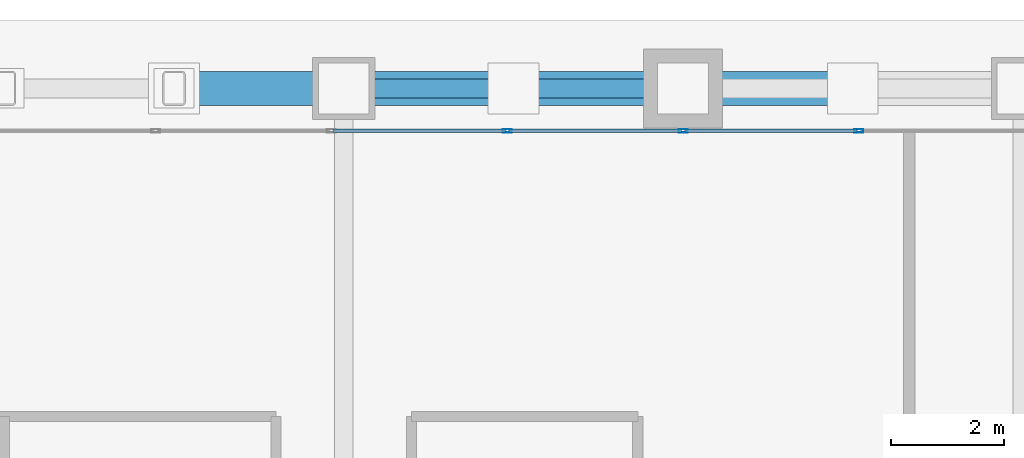
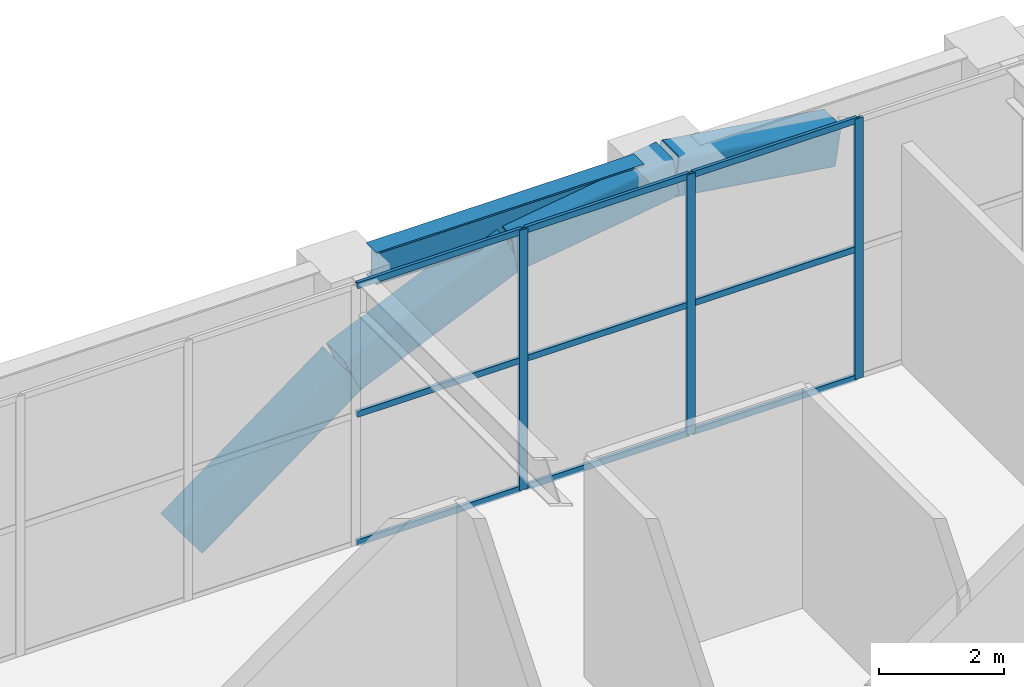
# One storey, part 17 of 32: 16 members, 1 beam, 1 element without a shape of its own.
"""IFC4 building model written with IfcOpenShell, lengths in metres."""

from ifc_helpers import new_model, si_unit, direction, frame, origin, origin_2d, place, context, subcontext, project, spatial, hollow_rectangle, i_section, extrude, material, layer, layer_set, material_profile, profile_set, type_object, element, aggregate, save


model = new_model("IFC4")

# Units and contexts
model_context = context("Model", 3, precision=1e-05, world=origin(), true_north=direction((0.0, 1.0)))
body_context = subcontext(model_context, "Body", "Model", "MODEL_VIEW")
ifc_project = project(units=[si_unit("LENGTHUNIT", "METRE"), si_unit("AREAUNIT", "SQUARE_METRE"), si_unit("VOLUMEUNIT", "CUBIC_METRE"), si_unit("PLANEANGLEUNIT", "RADIAN"), si_unit("MASSUNIT", "GRAM", prefix="KILO")], contexts=[model_context])

# Site, building, storey
site_placement = place(None, origin())
site = spatial("IfcSite", under=ifc_project, at=site_placement, CompositionType="ELEMENT")
building_placement = place(site_placement, origin())
building = spatial("IfcBuilding", under=site, at=building_placement, Name="Sarneth Arch Tower", CompositionType="ELEMENT")
storey_placement = place(building_placement, frame((0.0, 0.0, 11.39990234375)))
storey = spatial("IfcBuildingStorey", under=building, at=storey_placement, Name="L02", CompositionType="ELEMENT", Elevation=11.39990234375)

# Beam
ifc_material_1 = material(Name="Steel S355", Category="steel")
ifc_material_profile_1 = material_profile(ifc_material_1, i_section(OverallWidth=0.3291015625, OverallDepth=0.635009765625, WebThickness=0.017822265625, FlangeThickness=0.031005859375, FilletRadius=0.01904296875, at=origin_2d()), Name="W610x241")
ifc_profile_set_1 = profile_set([ifc_material_profile_1], Name="Steel S355")
beam_type = type_object("IfcBeamType", Name="BM-POD-610", PredefinedType="BEAM", material=ifc_profile_set_1)
beam_placement = place(storey_placement, frame((42.52001953125, 74.800048828125, 4.78271484375), z_axis=(1.0, 0.0, 0.0), x_axis=(0.0, 1.0, 0.0)))
element("IfcBeam", 1, at=beam_placement, inside=storey, type_object=beam_type, Name="L02 Podium PN girder 4", PredefinedType="BEAM", context=body_context, shape_type="SweptSolid", body=[
    extrude(i_section(OverallWidth=0.3291015625, OverallDepth=0.635009765625, WebThickness=0.017822265625, FlangeThickness=0.031005859375, FilletRadius=0.01904296875, at=origin_2d()), origin(), (0.0, 0.0, 1.0), 4.9599609375),
])

# Curtain wall, members
ifc_material_2 = material(Name="Anodised aluminium Type AA25 and solar-control low-e laminated IGU", Category="aluminium")
ifc_layer = layer(ifc_material_2, 0.199951171875)
ifc_layer_set = layer_set([ifc_layer], Name="Anodised aluminium Type AA25 and solar-control low-e laminated IGU")
curtain_wall_type = type_object("IfcCurtainWallType", Name="CW-ARCH-GLAZE", PredefinedType="NOTDEFINED", material=ifc_layer_set)
curtain_wall_placement = place(storey_placement, origin())
curtain_wall = element("IfcCurtainWall", 2, at=curtain_wall_placement, inside=storey, type_object=curtain_wall_type, Name="L02 North parabolic arch portal curtain wall", PredefinedType="NOTDEFINED")
ifc_material_3 = material(Name="Anodised Aluminium 6063-T6", Category="aluminium")
ifc_material_profile_2 = material_profile(ifc_material_3, hollow_rectangle(XDim=0.06005859375, YDim=0.159912109375, WallThickness=0.00390625, at=origin_2d()), Name="AL-MULL-160x60x4")
ifc_profile_set_2 = profile_set([ifc_material_profile_2], Name="Anodised Aluminium 6063-T6")
member_type_1 = type_object("IfcMemberType", Name="CW-MULLION", PredefinedType="MULLION", material=ifc_profile_set_2)
member_1_placement = place(storey_placement, frame((51.1083984375, 74.050048828125, 0.0), z_axis=(0.0, 0.0, 1.0), x_axis=(0.0, -1.0, 0.0)))
member_1 = element("IfcMember", 3, at=member_1_placement, type_object=member_type_1, Name="CW-SYS-2 mullion 6", PredefinedType="MULLION", context=body_context, shape_type="SweptSolid", body=[
    extrude(hollow_rectangle(XDim=0.06005859375, YDim=0.159912109375, WallThickness=0.00390625, at=origin_2d()), origin(), (0.0, 0.0, 1.0), 5.10009765625),
])
member_2_placement = place(storey_placement, frame((48.0, 74.050048828125, 0.0), z_axis=(0.0, 0.0, 1.0), x_axis=(0.0, -1.0, 0.0)))
member_2 = element("IfcMember", 4, at=member_2_placement, type_object=member_type_1, Name="CW-SYS-2 mullion 7", PredefinedType="MULLION", context=body_context, shape_type="SweptSolid", body=[
    extrude(hollow_rectangle(XDim=0.06005859375, YDim=0.159912109375, WallThickness=0.00390625, at=origin_2d()), origin(), (0.0, 0.0, 1.0), 5.10009765625),
])
member_3_placement = place(storey_placement, frame((44.8916015625, 74.050048828125, 0.0), z_axis=(0.0, 0.0, 1.0), x_axis=(0.0, -1.0, 0.0)))
member_3 = element("IfcMember", 5, at=member_3_placement, type_object=member_type_1, Name="CW-SYS-2 mullion 8", PredefinedType="MULLION", context=body_context, shape_type="SweptSolid", body=[
    extrude(hollow_rectangle(XDim=0.06005859375, YDim=0.159912109375, WallThickness=0.00390625, at=origin_2d()), origin(), (0.0, 0.0, 1.0), 5.10009765625),
])
ifc_material_4 = material(Name="Anodised Aluminium 6063-T6", Category="aluminium")
ifc_material_profile_3 = material_profile(ifc_material_4, hollow_rectangle(XDim=0.06005859375, YDim=0.1201171875, WallThickness=0.00390625, at=origin_2d()), Name="AL-TRAN-120x60x4")
ifc_profile_set_3 = profile_set([ifc_material_profile_3], Name="Anodised Aluminium 6063-T6")
member_type_2 = type_object("IfcMemberType", Name="CW-TRANSOM", PredefinedType="USERDEFINED", material=ifc_profile_set_3)
member_4_placement = place(storey_placement, frame((51.078369140625, 74.050048828125, 0.030029296875), z_axis=(-1.0, 0.0, 0.0), x_axis=(0.0, -1.0, 0.0)))
member_4 = element("IfcMember", 6, at=member_4_placement, type_object=member_type_2, Name="CW-SYS-2 transom 6.1", ObjectType="TRANSOM", PredefinedType="USERDEFINED", context=body_context, shape_type="SweptSolid", body=[
    extrude(hollow_rectangle(XDim=0.06005859375, YDim=0.1201171875, WallThickness=0.00390625, at=origin_2d()), origin(), (0.0, 0.0, 1.0), 3.04833984375),
])
member_5_placement = place(storey_placement, frame((51.078369140625, 74.050048828125, 2.550048828125), z_axis=(-1.0, 0.0, 0.0), x_axis=(0.0, -1.0, 0.0)))
member_5 = element("IfcMember", 7, at=member_5_placement, type_object=member_type_2, Name="CW-SYS-2 transom 6.2", ObjectType="TRANSOM", PredefinedType="USERDEFINED", context=body_context, shape_type="SweptSolid", body=[
    extrude(hollow_rectangle(XDim=0.06005859375, YDim=0.1201171875, WallThickness=0.00390625, at=origin_2d()), origin(), (0.0, 0.0, 1.0), 3.04833984375),
])
member_6_placement = place(storey_placement, frame((51.078369140625, 74.050048828125, 5.070068359375), z_axis=(-1.0, 0.0, 0.0), x_axis=(0.0, -1.0, 0.0)))
member_6 = element("IfcMember", 8, at=member_6_placement, type_object=member_type_2, Name="CW-SYS-2 transom 6.3", ObjectType="TRANSOM", PredefinedType="USERDEFINED", context=body_context, shape_type="SweptSolid", body=[
    extrude(hollow_rectangle(XDim=0.06005859375, YDim=0.1201171875, WallThickness=0.00390625, at=origin_2d()), origin(), (0.0, 0.0, 1.0), 3.04833984375),
])
member_7_placement = place(storey_placement, frame((47.969970703125, 74.050048828125, 0.030029296875), z_axis=(-1.0, 0.0, 0.0), x_axis=(0.0, -1.0, 0.0)))
member_7 = element("IfcMember", 9, at=member_7_placement, type_object=member_type_2, Name="CW-SYS-2 transom 7.1", ObjectType="TRANSOM", PredefinedType="USERDEFINED", context=body_context, shape_type="SweptSolid", body=[
    extrude(hollow_rectangle(XDim=0.06005859375, YDim=0.1201171875, WallThickness=0.00390625, at=origin_2d()), origin(), (0.0, 0.0, 1.0), 3.04833984375),
])
member_8_placement = place(storey_placement, frame((47.969970703125, 74.050048828125, 2.550048828125), z_axis=(-1.0, 0.0, 0.0), x_axis=(0.0, -1.0, 0.0)))
member_8 = element("IfcMember", 10, at=member_8_placement, type_object=member_type_2, Name="CW-SYS-2 transom 7.2", ObjectType="TRANSOM", PredefinedType="USERDEFINED", context=body_context, shape_type="SweptSolid", body=[
    extrude(hollow_rectangle(XDim=0.06005859375, YDim=0.1201171875, WallThickness=0.00390625, at=origin_2d()), origin(), (0.0, 0.0, 1.0), 3.04833984375),
])
member_9_placement = place(storey_placement, frame((47.969970703125, 74.050048828125, 5.070068359375), z_axis=(-1.0, 0.0, 0.0), x_axis=(0.0, -1.0, 0.0)))
member_9 = element("IfcMember", 11, at=member_9_placement, type_object=member_type_2, Name="CW-SYS-2 transom 7.3", ObjectType="TRANSOM", PredefinedType="USERDEFINED", context=body_context, shape_type="SweptSolid", body=[
    extrude(hollow_rectangle(XDim=0.06005859375, YDim=0.1201171875, WallThickness=0.00390625, at=origin_2d()), origin(), (0.0, 0.0, 1.0), 3.04833984375),
])
member_10_placement = place(storey_placement, frame((44.861572265625, 74.050048828125, 0.030029296875), z_axis=(-1.0, 0.0, 0.0), x_axis=(0.0, -1.0, 0.0)))
member_10 = element("IfcMember", 12, at=member_10_placement, type_object=member_type_2, Name="CW-SYS-2 transom 8.1", ObjectType="TRANSOM", PredefinedType="USERDEFINED", context=body_context, shape_type="SweptSolid", body=[
    extrude(hollow_rectangle(XDim=0.06005859375, YDim=0.1201171875, WallThickness=0.00390625, at=origin_2d()), origin(), (0.0, 0.0, 1.0), 3.04833984375),
])
member_11_placement = place(storey_placement, frame((44.861572265625, 74.050048828125, 2.550048828125), z_axis=(-1.0, 0.0, 0.0), x_axis=(0.0, -1.0, 0.0)))
member_11 = element("IfcMember", 13, at=member_11_placement, type_object=member_type_2, Name="CW-SYS-2 transom 8.2", ObjectType="TRANSOM", PredefinedType="USERDEFINED", context=body_context, shape_type="SweptSolid", body=[
    extrude(hollow_rectangle(XDim=0.06005859375, YDim=0.1201171875, WallThickness=0.00390625, at=origin_2d()), origin(), (0.0, 0.0, 1.0), 3.04833984375),
])
member_12_placement = place(storey_placement, frame((44.861572265625, 74.050048828125, 5.070068359375), z_axis=(-1.0, 0.0, 0.0), x_axis=(0.0, -1.0, 0.0)))
member_12 = element("IfcMember", 14, at=member_12_placement, type_object=member_type_2, Name="CW-SYS-2 transom 8.3", ObjectType="TRANSOM", PredefinedType="USERDEFINED", context=body_context, shape_type="SweptSolid", body=[
    extrude(hollow_rectangle(XDim=0.06005859375, YDim=0.1201171875, WallThickness=0.00390625, at=origin_2d()), origin(), (0.0, 0.0, 1.0), 3.04833984375),
])
aggregate(curtain_wall, [member_1, member_2, member_3, member_4, member_5, member_6, member_7, member_8, member_9, member_10, member_11, member_12])

# Members
ifc_material_5 = material(Name="Steel S355", Category="steel")
ifc_material_profile_4 = material_profile(ifc_material_5, hollow_rectangle(XDim=0.60009765625, YDim=0.800048828125, WallThickness=0.028076171875, InnerFilletRadius=0.0419921875, OuterFilletRadius=0.070068359375, at=origin_2d()), Name="RHS800x600x28")
ifc_profile_set_4 = profile_set([ifc_material_profile_4], Name="Steel S355")
member_type_3 = type_object("IfcMemberType", Name="MEM-ARCH-CHORD", PredefinedType="CHORD", material=ifc_profile_set_4)
member_13_placement = place(storey_placement, frame((39.0, 74.800048828125, 0.7314453125), z_axis=(0.804002053977, 0.0, 0.594626519087), x_axis=(0.0, 1.0, 0.0)))
element("IfcMember", 15, at=member_13_placement, inside=storey, type_object=member_type_3, Name="Podium parabolic arch rib 6 segment 4", PredefinedType="CHORD", context=body_context, shape_type="SweptSolid", body=[
    extrude(hollow_rectangle(XDim=0.60009765625, YDim=0.800048828125, WallThickness=0.028076171875, InnerFilletRadius=0.0419921875, OuterFilletRadius=0.070068359375, at=origin_2d()), origin(), (0.0, 0.0, 1.0), 3.7314453125),
])
member_14_placement = place(storey_placement, frame((42.0, 74.800048828125, 2.9501953125), z_axis=(0.914069035587, 0.0, 0.405558624839), x_axis=(0.0, 1.0, 0.0)))
element("IfcMember", 16, at=member_14_placement, inside=storey, type_object=member_type_3, Name="Podium parabolic arch rib 6 segment 5", PredefinedType="CHORD", context=body_context, shape_type="SweptSolid", body=[
    extrude(hollow_rectangle(XDim=0.60009765625, YDim=0.800048828125, WallThickness=0.028076171875, InnerFilletRadius=0.0419921875, OuterFilletRadius=0.070068359375, at=origin_2d()), origin(), (0.0, 0.0, 1.0), 3.281982421875),
])
for number, where, z_axis, x_axis, name in (
    (17, (45.0, 74.800048828125, 4.28125), (0.98923197117, 0.0, 0.146356097297), (0.0, 1.0, 0.0), "Podium parabolic arch rib 6 segment 6"),
    (18, (48.0, 74.800048828125, 4.72509765625), (0.98923197117, 0.0, -0.146356097297), (0.0, 1.0, 0.0), "Podium parabolic arch rib 6 segment 7"),
):
    element("IfcMember", number, at=place(storey_placement, frame(where, z_axis=z_axis, x_axis=x_axis)), inside=storey, type_object=member_type_3, Name=name, PredefinedType="CHORD", context=body_context, shape_type="SweptSolid", body=[
        extrude(hollow_rectangle(XDim=0.60009765625, YDim=0.800048828125, WallThickness=0.028076171875, InnerFilletRadius=0.0419921875, OuterFilletRadius=0.070068359375, at=origin_2d()), origin(), (0.0, 0.0, 1.0), 3.03271484375),
    ])

save(model, "model.ifc")
